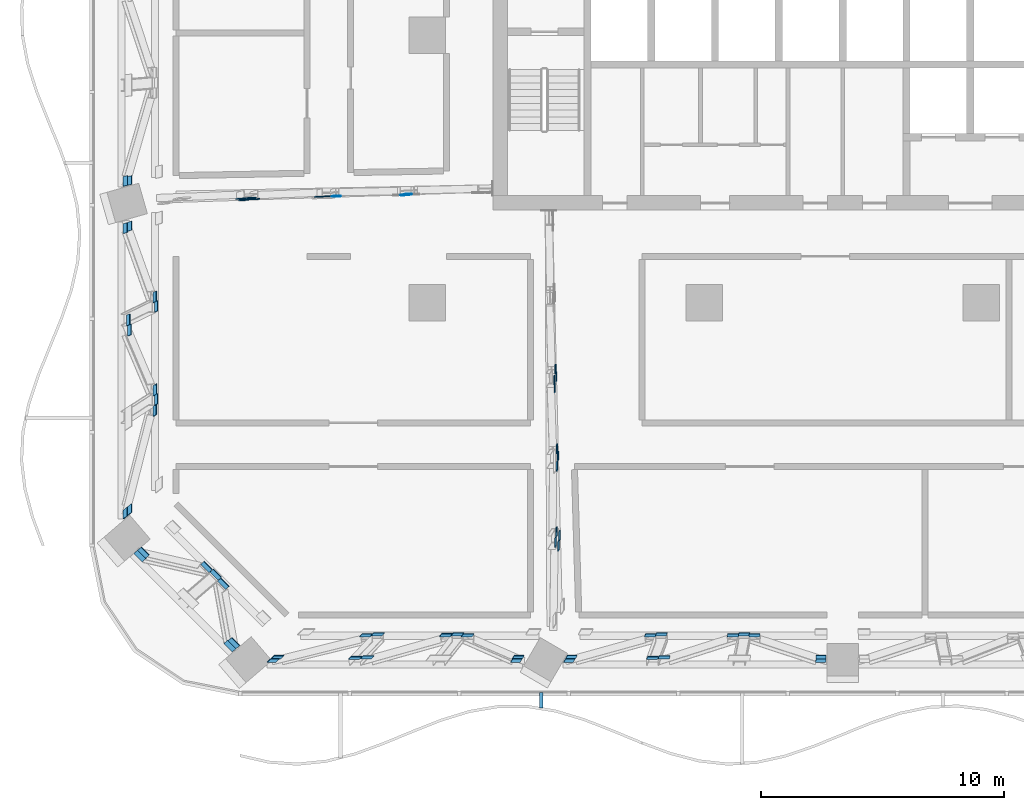
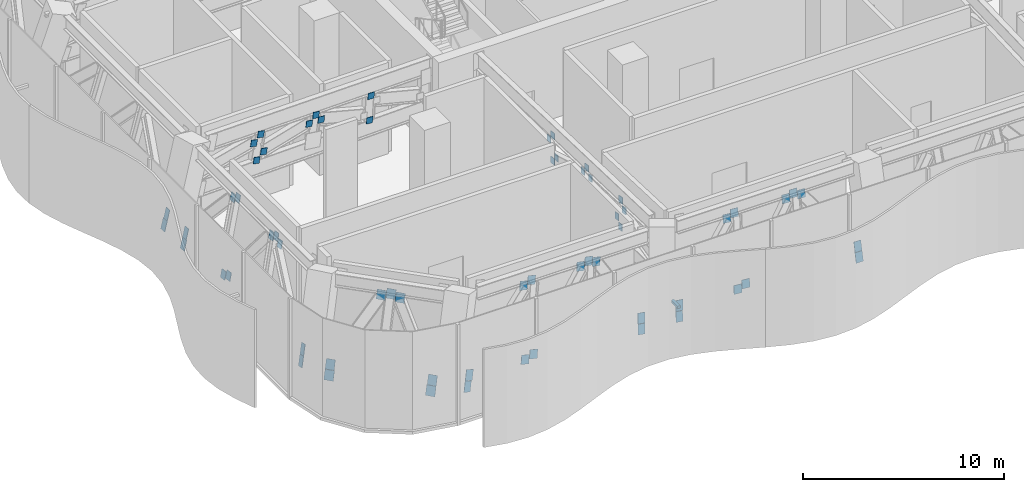
# One storey, part 19 of 32: 63 discrete accessories.
"""IFC4 building model written with IfcOpenShell, lengths in metres."""

from ifc_helpers import new_model, si_unit, direction, frame, origin, origin_2d, place, context, subcontext, project, spatial, rectangle, extrude, material, layer, layer_set, type_object, element, save


model = new_model("IFC4")

# Units and contexts
model_context = context("Model", 3, precision=1e-05, world=origin(), true_north=direction((0.0, 1.0)))
body_context = subcontext(model_context, "Body", "Model", "MODEL_VIEW")
ifc_project = project(units=[si_unit("LENGTHUNIT", "METRE"), si_unit("AREAUNIT", "SQUARE_METRE"), si_unit("VOLUMEUNIT", "CUBIC_METRE"), si_unit("PLANEANGLEUNIT", "RADIAN"), si_unit("MASSUNIT", "GRAM", prefix="KILO")], contexts=[model_context])

# Site, building, storey
site_placement = place(None, origin())
site = spatial("IfcSite", under=ifc_project, at=site_placement, CompositionType="ELEMENT")
building_placement = place(site_placement, origin())
building = spatial("IfcBuilding", under=site, at=building_placement, Name="Mopane Tessera Tower", CompositionType="ELEMENT")
storey_placement = place(building_placement, frame((0.0, 0.0, 88.60009765625)))
storey = spatial("IfcBuildingStorey", under=building, at=storey_placement, Name="L17", CompositionType="ELEMENT", Elevation=88.60009765625)

# Discrete accessories
ifc_material_1 = material(Name="Stainless steel S316", Category="steel")
discrete_accessory_type_1 = type_object("IfcDiscreteAccessoryType", Name="Louvre bracket 150 x 150", PredefinedType="BRACKET", material=ifc_material_1)
discrete_accessory_1_placement = place(storey_placement, frame((-12.39990234375, -27.377685546875, 2.489990234375), z_axis=(0.0, 0.0, 1.0), x_axis=(0.0, -1.0, 0.0)))
element("IfcDiscreteAccessory", 1, at=discrete_accessory_1_placement, inside=storey, type_object=discrete_accessory_type_1, Name="e:lv:L17:S:0:br1", PredefinedType="BRACKET", context=body_context, shape_type="SweptSolid", body=[
    extrude(rectangle(XDim=0.635498046875, YDim=0.14990234375, at=origin_2d()), origin(), (0.0, 0.0, 1.0), 0.14990234375),
])
ifc_material_2 = material(Name="Structural steel S460", Category="steel")
ifc_layer = layer(ifc_material_2, 0.030029296875)
ifc_layer_set = layer_set([ifc_layer], Name="Structural steel S460")
discrete_accessory_type_2 = type_object("IfcDiscreteAccessoryType", Name="Truss node plate 30 mm", PredefinedType="BRACKET", material=ifc_layer_set)
for number, where, z_axis, x_axis, name in (
    (2, (-18.03564453125, -6.580078125, 2.924560546875), (0.073024605033, 0.020579661418, 0.997117788727), (0.030716489883, -0.999359197658, 0.018376378988), "Truss node plate s ot L17 W2 4"),
    (3, (-17.930908203125, -6.55029296875, 4.358642578125), (0.0730235913, 0.02124322656, 0.997103946657), (0.039115022153, -0.999064914957, 0.018420389375), "Truss node plate s ot L17 W2 5"),
):
    element("IfcDiscreteAccessory", number, at=place(storey_placement, frame(where, z_axis=z_axis, x_axis=x_axis)), inside=storey, type_object=discrete_accessory_type_2, Name=name, PredefinedType="BRACKET", context=body_context, shape_type="SweptSolid", body=[
        extrude(rectangle(XDim=0.030029296875, YDim=0.36669921875, at=origin_2d()), origin(), (0.0, 0.0, 1.0), 0.36767578125),
    ])
discrete_accessory_2_placement = place(storey_placement, frame((-20.859130859375, -6.633056640625, 3.98193359375), z_axis=(0.131249416504, 0.037594053974, 0.990636299443), x_axis=(0.038005700608, -0.998736895677, 0.032866090967)))
element("IfcDiscreteAccessory", 4, at=discrete_accessory_2_placement, inside=storey, type_object=discrete_accessory_type_2, Name="Truss node plate s ot L17 W2 7", PredefinedType="BRACKET", context=body_context, shape_type="SweptSolid", body=[
    extrude(rectangle(XDim=0.030029296875, YDim=0.36669921875, at=origin_2d()), origin(), (0.0, 0.0, 1.0), 0.3701171875),
])
discrete_accessory_3_placement = place(storey_placement, frame((-21.157958984375, -6.627197265625, 4.358642578125), z_axis=(0.13771220955, 0.039534605612, 0.989682960498), x_axis=(0.039065427392, -0.998642394715, 0.034456637389)))
element("IfcDiscreteAccessory", 5, at=discrete_accessory_3_placement, inside=storey, type_object=discrete_accessory_type_2, Name="Truss node plate s ot L17 W2 9", PredefinedType="BRACKET", context=body_context, shape_type="SweptSolid", body=[
    extrude(rectangle(XDim=0.030029296875, YDim=0.36669921875, at=origin_2d()), origin(), (0.0, 0.0, 1.0), 0.37060546875),
])
discrete_accessory_4_placement = place(storey_placement, frame((-21.562255859375, -6.651123046875, 3.98193359375), z_axis=(0.145444666474, 0.041461601755, 0.988497235491), x_axis=(0.0377326891, -0.99862707775, 0.03633460826)))
element("IfcDiscreteAccessory", 6, at=discrete_accessory_4_placement, inside=storey, type_object=discrete_accessory_type_2, Name="Truss node plate s ot L17 W2 10", PredefinedType="BRACKET", context=body_context, shape_type="SweptSolid", body=[
    extrude(rectangle(XDim=0.030029296875, YDim=0.36669921875, at=origin_2d()), origin(), (0.0, 0.0, 1.0), 0.370849609375),
])
discrete_accessory_5_placement = place(storey_placement, frame((-24.2470703125, -6.755859375, 3.30126953125), z_axis=(0.194937042554, 0.055416885007, 0.97924895624), x_axis=(0.041294831885, -0.997980986414, 0.048256477438)))
element("IfcDiscreteAccessory", 7, at=discrete_accessory_5_placement, inside=storey, type_object=discrete_accessory_type_2, Name="Truss node plate s ot L17 W2 11", PredefinedType="BRACKET", context=body_context, shape_type="SweptSolid", body=[
    extrude(rectangle(XDim=0.030029296875, YDim=0.36669921875, at=origin_2d()), origin(), (0.0, 0.0, 1.0), 0.37451171875),
])
discrete_accessory_6_placement = place(storey_placement, frame((-24.68115234375, -6.78857421875, 2.924560546875), z_axis=(0.201791743211, 0.057933758535, 0.977713542912), x_axis=(0.044585883573, -0.99775756662, 0.049919307271)))
element("IfcDiscreteAccessory", 8, at=discrete_accessory_6_placement, inside=storey, type_object=discrete_accessory_type_2, Name="Truss node plate s ot L17 W2 12", PredefinedType="BRACKET", context=body_context, shape_type="SweptSolid", body=[
    extrude(rectangle(XDim=0.030029296875, YDim=0.36669921875, at=origin_2d()), origin(), (0.0, 0.0, 1.0), 0.375),
])
discrete_accessory_7_placement = place(storey_placement, frame((-24.3857421875, -6.7041015625, 4.356689453125), z_axis=(0.201612073021, 0.057327394565, 0.977786347749), x_axis=(0.042030756872, -0.997872500574, 0.049838620323)))
element("IfcDiscreteAccessory", 9, at=discrete_accessory_7_placement, inside=storey, type_object=discrete_accessory_type_2, Name="Truss node plate s ot L17 W2 13", PredefinedType="BRACKET", context=body_context, shape_type="SweptSolid", body=[
    extrude(rectangle(XDim=0.030029296875, YDim=0.37060546875, at=origin_2d()), origin(), (0.0, 0.0, 1.0), 0.37890625),
])
discrete_accessory_8_placement = place(storey_placement, frame((-24.804443359375, -6.7353515625, 3.97607421875), z_axis=(0.208371374654, 0.059167180457, 0.976258477547), x_axis=(0.042356308356, -0.997777933374, 0.051430913019)))
element("IfcDiscreteAccessory", 10, at=discrete_accessory_8_placement, inside=storey, type_object=discrete_accessory_type_2, Name="Truss node plate s ot L17 W2 14", PredefinedType="BRACKET", context=body_context, shape_type="SweptSolid", body=[
    extrude(rectangle(XDim=0.030029296875, YDim=0.37060546875, at=origin_2d()), origin(), (0.0, 0.0, 1.0), 0.379638671875),
])
for number, where, z_axis, x_axis, name in (
    (11, (-11.82666015625, -13.751220703125, 3.9814453125), (0.053589363892, 0.091300397741, 0.994380418879), (0.998562154221, -0.003560250049, -0.053487837648), "Truss node plate s ot L17 S1 7"),
    (12, (-11.881103515625, -14.207763671875, 2.924560546875), (0.056236601468, 0.09659463311, 0.993733828301), (0.998405497408, -0.000566402637, -0.056445920436), "Truss node plate s ot L17 S1 8"),
):
    element("IfcDiscreteAccessory", number, at=place(storey_placement, frame(where, z_axis=z_axis, x_axis=x_axis)), inside=storey, type_object=discrete_accessory_type_2, Name=name, PredefinedType="BRACKET", context=body_context, shape_type="SweptSolid", body=[
        extrude(rectangle(XDim=0.030029296875, YDim=0.366943359375, at=origin_2d()), origin(), (0.0, 0.0, 1.0), 0.368896484375),
    ])
discrete_accessory_9_placement = place(storey_placement, frame((-11.7998046875, -14.068603515625, 4.3583984375), z_axis=(0.056203227146, 0.095876093367, 0.993805298828), x_axis=(0.998417581607, -0.003523960868, -0.056124098543)))
element("IfcDiscreteAccessory", 13, at=discrete_accessory_9_placement, inside=storey, type_object=discrete_accessory_type_2, Name="Truss node plate s ot L17 S1 9", PredefinedType="BRACKET", context=body_context, shape_type="SweptSolid", body=[
    extrude(rectangle(XDim=0.030029296875, YDim=0.366943359375, at=origin_2d()), origin(), (0.0, 0.0, 1.0), 0.369140625),
])
discrete_accessory_10_placement = place(storey_placement, frame((-11.856201171875, -14.528564453125, 3.30126953125), z_axis=(0.058808502745, 0.101097763146, 0.99313684973), x_axis=(0.998255580983, -0.000743298452, -0.059035942811)))
element("IfcDiscreteAccessory", 14, at=discrete_accessory_10_placement, inside=storey, type_object=discrete_accessory_type_2, Name="Truss node plate s ot L17 S1 10", PredefinedType="BRACKET", context=body_context, shape_type="SweptSolid", body=[
    extrude(rectangle(XDim=0.030029296875, YDim=0.366943359375, at=origin_2d()), origin(), (0.0, 0.0, 1.0), 0.369384765625),
])
discrete_accessory_11_placement = place(storey_placement, frame((-11.77587890625, -17.04931640625, 3.9814453125), z_axis=(0.079493279357, 0.136649604184, 0.987424784079), x_axis=(0.996821859724, -0.005733766148, -0.079456301842)))
element("IfcDiscreteAccessory", 15, at=discrete_accessory_11_placement, inside=storey, type_object=discrete_accessory_type_2, Name="Truss node plate s ot L17 S1 11", PredefinedType="BRACKET", context=body_context, shape_type="SweptSolid", body=[
    extrude(rectangle(XDim=0.030029296875, YDim=0.366943359375, at=origin_2d()), origin(), (0.0, 0.0, 1.0), 0.37158203125),
])
discrete_accessory_12_placement = place(storey_placement, frame((-11.73876953125, -17.349365234375, 4.3583984375), z_axis=(0.082051331837, 0.141128290759, 0.986585214004), x_axis=(0.996613402137, -0.006241723591, -0.081992484827)))
element("IfcDiscreteAccessory", 16, at=discrete_accessory_12_placement, inside=storey, type_object=discrete_accessory_type_2, Name="Truss node plate s ot L17 S1 13", PredefinedType="BRACKET", context=body_context, shape_type="SweptSolid", body=[
    extrude(rectangle(XDim=0.030029296875, YDim=0.366943359375, at=origin_2d()), origin(), (0.0, 0.0, 1.0), 0.371826171875),
])
discrete_accessory_13_placement = place(storey_placement, frame((-11.764892578125, -17.757568359375, 3.9814453125), z_axis=(0.085245663383, 0.146229099495, 0.985571015876), x_axis=(0.996350727816, -0.008251776601, -0.08495372484)))
element("IfcDiscreteAccessory", 17, at=discrete_accessory_13_placement, inside=storey, type_object=discrete_accessory_type_2, Name="Truss node plate s ot L17 S1 14", PredefinedType="BRACKET", context=body_context, shape_type="SweptSolid", body=[
    extrude(rectangle(XDim=0.030029296875, YDim=0.366943359375, at=origin_2d()), origin(), (0.0, 0.0, 1.0), 0.372314453125),
])
discrete_accessory_14_placement = place(storey_placement, frame((-11.79833984375, -20.47314453125, 3.30126953125), z_axis=(0.105396382556, 0.180865397225, 0.977844215932), x_axis=(0.994420320667, -0.014765971725, -0.104451864144)))
element("IfcDiscreteAccessory", 18, at=discrete_accessory_14_placement, inside=storey, type_object=discrete_accessory_type_2, Name="Truss node plate s ot L17 S1 15", PredefinedType="BRACKET", context=body_context, shape_type="SweptSolid", body=[
    extrude(rectangle(XDim=0.030029296875, YDim=0.366943359375, at=origin_2d()), origin(), (0.0, 0.0, 1.0), 0.375244140625),
])
discrete_accessory_15_placement = place(storey_placement, frame((-11.83642578125, -20.90185546875, 2.924560546875), z_axis=(0.107947417547, 0.185331409644, 0.976729043105), x_axis=(0.994145816801, -0.015546450129, -0.106922414982)))
element("IfcDiscreteAccessory", 19, at=discrete_accessory_15_placement, inside=storey, type_object=discrete_accessory_type_2, Name="Truss node plate s ot L17 S1 16", PredefinedType="BRACKET", context=body_context, shape_type="SweptSolid", body=[
    extrude(rectangle(XDim=0.030029296875, YDim=0.366943359375, at=origin_2d()), origin(), (0.0, 0.0, 1.0), 0.37548828125),
])
discrete_accessory_16_placement = place(storey_placement, frame((-11.677978515625, -20.63037109375, 4.3564453125), z_axis=(0.108027327481, 0.185189704253, 0.976747085973), x_axis=(0.99413995714, -0.01618958008, -0.106881444198)))
element("IfcDiscreteAccessory", 20, at=discrete_accessory_16_placement, inside=storey, type_object=discrete_accessory_type_2, Name="Truss node plate s ot L17 S1 17", PredefinedType="BRACKET", context=body_context, shape_type="SweptSolid", body=[
    extrude(rectangle(XDim=0.030029296875, YDim=0.370849609375, at=origin_2d()), origin(), (0.0, 0.0, 1.0), 0.379638671875),
])
discrete_accessory_17_placement = place(storey_placement, frame((-11.71484375, -21.04541015625, 3.975830078125), z_axis=(0.110544480153, 0.189596637472, 0.975619307398), x_axis=(0.993862416898, -0.016966264767, -0.109314418709)))
element("IfcDiscreteAccessory", 21, at=discrete_accessory_17_placement, inside=storey, type_object=discrete_accessory_type_2, Name="Truss node plate s ot L17 S1 18", PredefinedType="BRACKET", context=body_context, shape_type="SweptSolid", body=[
    extrude(rectangle(XDim=0.030029296875, YDim=0.370849609375, at=origin_2d()), origin(), (0.0, 0.0, 1.0), 0.3798828125),
])
discrete_accessory_18_placement = place(storey_placement, frame((-23.514892578125, -25.80029296875, 0.1328125), z_axis=(0.259580929663, 0.234123635918, 0.936911876357), x_axis=(-0.062172614904, 0.972206771361, -0.225717876287)))
element("IfcDiscreteAccessory", 22, at=discrete_accessory_18_placement, inside=storey, type_object=discrete_accessory_type_2, Name="Truss node plate s bt L17 S0-S1 0", PredefinedType="BRACKET", context=body_context, shape_type="SweptSolid", body=[
    extrude(rectangle(XDim=0.030029296875, YDim=0.372314453125, at=origin_2d()), origin(), (0.0, 0.0, 1.0), 0.5849609375),
])
discrete_accessory_19_placement = place(storey_placement, frame((-23.33837890625, -25.66064453125, 0.69091796875), z_axis=(0.259191654575, 0.234148982635, 0.937013308406), x_axis=(-0.062425625308, 0.972200727181, -0.225674073333)))
element("IfcDiscreteAccessory", 23, at=discrete_accessory_19_placement, inside=storey, type_object=discrete_accessory_type_2, Name="Truss node plate s bt L17 S0-S1 1", PredefinedType="BRACKET", context=body_context, shape_type="SweptSolid", body=[
    extrude(rectangle(XDim=0.030029296875, YDim=0.416259765625, at=origin_2d()), origin(), (0.0, 0.0, 1.0), 0.5849609375),
])
discrete_accessory_20_placement = place(storey_placement, frame((-19.66357421875, -24.743896484375, 4.3583984375), z_axis=(0.229932835172, 0.236037246725, 0.944148986902), x_axis=(-0.056309246774, 0.971743900392, -0.22922273181)))
element("IfcDiscreteAccessory", 24, at=discrete_accessory_20_placement, inside=storey, type_object=discrete_accessory_type_2, Name="Truss node plate s bt L17 S0-S1 3", PredefinedType="BRACKET", context=body_context, shape_type="SweptSolid", body=[
    extrude(rectangle(XDim=0.030029296875, YDim=0.453125, at=origin_2d()), origin(), (0.0, 0.0, 1.0), 0.47998046875),
])
discrete_accessory_21_placement = place(storey_placement, frame((-20.121826171875, -25.68798828125, 0.581787109375), z_axis=(0.225246750388, 0.236185886168, 0.945240778117), x_axis=(-0.054473026475, 0.971707852773, -0.229818489781)))
element("IfcDiscreteAccessory", 25, at=discrete_accessory_21_placement, inside=storey, type_object=discrete_accessory_type_2, Name="Truss node plate s bt L17 S0-S1 4", PredefinedType="BRACKET", context=body_context, shape_type="SweptSolid", body=[
    extrude(rectangle(XDim=0.030029296875, YDim=0.464111328125, at=origin_2d()), origin(), (0.0, 0.0, 1.0), 0.490966796875),
])
discrete_accessory_22_placement = place(storey_placement, frame((-19.18603515625, -24.7060546875, 4.50927734375), z_axis=(0.225106363988, 0.236310753146, 0.945243012584), x_axis=(-0.055030987681, 0.971677491083, -0.229813932817)))
element("IfcDiscreteAccessory", 26, at=discrete_accessory_22_placement, inside=storey, type_object=discrete_accessory_type_2, Name="Truss node plate s bt L17 S0-S1 5", PredefinedType="BRACKET", context=body_context, shape_type="SweptSolid", body=[
    extrude(rectangle(XDim=0.030029296875, YDim=0.453125, at=origin_2d()), origin(), (0.0, 0.0, 1.0), 0.4794921875),
])
discrete_accessory_23_placement = place(storey_placement, frame((-19.616943359375, -25.65380859375, 0.718994140625), z_axis=(0.220518806843, 0.236447930588, 0.946289507471), x_axis=(-0.05263457741, 0.971643619697, -0.230517412711)))
element("IfcDiscreteAccessory", 27, at=discrete_accessory_23_placement, inside=storey, type_object=discrete_accessory_type_2, Name="Truss node plate s bt L17 S0-S1 6", PredefinedType="BRACKET", context=body_context, shape_type="SweptSolid", body=[
    extrude(rectangle(XDim=0.030029296875, YDim=0.464111328125, at=origin_2d()), origin(), (0.0, 0.0, 1.0), 0.490478515625),
])
discrete_accessory_24_placement = place(storey_placement, frame((-16.36767578125, -24.74169921875, 4.36669921875), z_axis=(0.193279927083, 0.237844469857, 0.951878604626), x_axis=(-0.046761662262, 0.971303089808, -0.233203033154)))
element("IfcDiscreteAccessory", 28, at=discrete_accessory_24_placement, inside=storey, type_object=discrete_accessory_type_2, Name="Truss node plate s bt L17 S0-S1 7", PredefinedType="BRACKET", context=body_context, shape_type="SweptSolid", body=[
    extrude(rectangle(XDim=0.030029296875, YDim=0.464111328125, at=origin_2d()), origin(), (0.0, 0.0, 1.0), 0.487548828125),
])
discrete_accessory_25_placement = place(storey_placement, frame((-15.8876953125, -24.7060546875, 4.50927734375), z_axis=(0.187902738225, 0.238215493269, 0.952861973076), x_axis=(-0.046385430543, 0.971212279649, -0.233655942984)))
element("IfcDiscreteAccessory", 29, at=discrete_accessory_25_placement, inside=storey, type_object=discrete_accessory_type_2, Name="Truss node plate s bt L17 S0-S1 9", PredefinedType="BRACKET", context=body_context, shape_type="SweptSolid", body=[
    extrude(rectangle(XDim=0.030029296875, YDim=0.453125, at=origin_2d()), origin(), (0.0, 0.0, 1.0), 0.4755859375),
])
discrete_accessory_26_placement = place(storey_placement, frame((-15.475830078125, -24.743896484375, 4.3583984375), z_axis=(0.182942937712, 0.238442480614, 0.953769922455), x_axis=(-0.044999912522, 0.97115661801, -0.234157705764)))
element("IfcDiscreteAccessory", 30, at=discrete_accessory_26_placement, inside=storey, type_object=discrete_accessory_type_2, Name="Truss node plate s bt L17 S0-S1 10", PredefinedType="BRACKET", context=body_context, shape_type="SweptSolid", body=[
    extrude(rectangle(XDim=0.030029296875, YDim=0.453125, at=origin_2d()), origin(), (0.0, 0.0, 1.0), 0.47509765625),
])
discrete_accessory_27_placement = place(storey_placement, frame((-13.398681640625, -25.66064453125, 0.69091796875), z_axis=(0.152055103728, 0.239614924695, 0.958886819856), x_axis=(-0.038205989264, 0.970867778637, -0.236550330351)))
element("IfcDiscreteAccessory", 31, at=discrete_accessory_27_placement, inside=storey, type_object=discrete_accessory_type_2, Name="Truss node plate s bt L17 S0-S1 12", PredefinedType="BRACKET", context=body_context, shape_type="SweptSolid", body=[
    extrude(rectangle(XDim=0.030029296875, YDim=0.416259765625, at=origin_2d()), origin(), (0.0, 0.0, 1.0), 0.571533203125),
])
discrete_accessory_28_placement = place(storey_placement, frame((-13.474365234375, -25.80029296875, 0.1328125), z_axis=(0.152055103728, 0.239614924695, 0.958886819856), x_axis=(-0.037756363596, 0.97086798147, -0.236621680251)))
element("IfcDiscreteAccessory", 32, at=discrete_accessory_28_placement, inside=storey, type_object=discrete_accessory_type_2, Name="Truss node plate s bt L17 S0-S1 13", PredefinedType="BRACKET", context=body_context, shape_type="SweptSolid", body=[
    extrude(rectangle(XDim=0.030029296875, YDim=0.390380859375, at=origin_2d()), origin(), (0.0, 0.0, 1.0), 0.571533203125),
])
discrete_accessory_29_placement = place(storey_placement, frame((-11.287109375, -25.801025390625, 0.1298828125), z_axis=(0.127999107731, 0.24074004368, 0.96211249851), x_axis=(-0.031804946472, 0.970589629187, -0.238629874689)))
element("IfcDiscreteAccessory", 33, at=discrete_accessory_29_placement, inside=storey, type_object=discrete_accessory_type_2, Name="Truss node plate s bt L17 S1-S2 0", PredefinedType="BRACKET", context=body_context, shape_type="SweptSolid", body=[
    extrude(rectangle(XDim=0.030029296875, YDim=0.390380859375, at=origin_2d()), origin(), (0.0, 0.0, 1.0), 0.575927734375),
])
discrete_accessory_30_placement = place(storey_placement, frame((-11.204345703125, -25.659912109375, 0.694091796875), z_axis=(0.128012158594, 0.240340708354, 0.962210596055), x_axis=(-0.030761397295, 0.970688161616, -0.238365746984)))
element("IfcDiscreteAccessory", 34, at=discrete_accessory_30_placement, inside=storey, type_object=discrete_accessory_type_2, Name="Truss node plate s bt L17 S1-S2 1", PredefinedType="BRACKET", context=body_context, shape_type="SweptSolid", body=[
    extrude(rectangle(XDim=0.030029296875, YDim=0.40576171875, at=origin_2d()), origin(), (0.0, 0.0, 1.0), 0.575927734375),
])
discrete_accessory_31_placement = place(storey_placement, frame((-7.9326171875, -24.744873046875, 4.354736328125), z_axis=(0.094732827198, 0.241568709355, 0.965748543935), x_axis=(-0.024612727269, 0.970383197722, -0.240313676755)))
element("IfcDiscreteAccessory", 35, at=discrete_accessory_31_placement, inside=storey, type_object=discrete_accessory_type_2, Name="Truss node plate s bt L17 S1-S2 3", PredefinedType="BRACKET", context=body_context, shape_type="SweptSolid", body=[
    extrude(rectangle(XDim=0.030029296875, YDim=0.447998046875, at=origin_2d()), origin(), (0.0, 0.0, 1.0), 0.4638671875),
])
discrete_accessory_32_placement = place(storey_placement, frame((-7.846435546875, -25.687255859375, 0.58447265625), z_axis=(0.089995682221, 0.241188428352, 0.966296496532), x_axis=(-0.021085354344, 0.970477502845, -0.240268234073)))
element("IfcDiscreteAccessory", 36, at=discrete_accessory_32_placement, inside=storey, type_object=discrete_accessory_type_2, Name="Truss node plate s bt L17 S1-S2 4", PredefinedType="BRACKET", context=body_context, shape_type="SweptSolid", body=[
    extrude(rectangle(XDim=0.030029296875, YDim=0.458740234375, at=origin_2d()), origin(), (0.0, 0.0, 1.0), 0.474853515625),
])
discrete_accessory_33_placement = place(storey_placement, frame((-7.4814453125, -24.70556640625, 4.511962890625), z_axis=(0.089513292067, 0.24168588858, 0.966217005545), x_axis=(-0.023467724819, 0.970353866002, -0.240546545654)))
element("IfcDiscreteAccessory", 37, at=discrete_accessory_33_placement, inside=storey, type_object=discrete_accessory_type_2, Name="Truss node plate s bt L17 S1-S2 5", PredefinedType="BRACKET", context=body_context, shape_type="SweptSolid", body=[
    extrude(rectangle(XDim=0.030029296875, YDim=0.447998046875, at=origin_2d()), origin(), (0.0, 0.0, 1.0), 0.463623046875),
])
discrete_accessory_34_placement = place(storey_placement, frame((-7.365966796875, -25.6513671875, 0.728515625), z_axis=(0.084369942934, 0.241791909627, 0.966653187637), x_axis=(-0.021547269623, 0.970327992204, -0.240830443916)))
element("IfcDiscreteAccessory", 38, at=discrete_accessory_34_placement, inside=storey, type_object=discrete_accessory_type_2, Name="Truss node plate s bt L17 S1-S2 6", PredefinedType="BRACKET", context=body_context, shape_type="SweptSolid", body=[
    extrude(rectangle(XDim=0.030029296875, YDim=0.458740234375, at=origin_2d()), origin(), (0.0, 0.0, 1.0), 0.474609375),
])
discrete_accessory_35_placement = place(storey_placement, frame((-4.5224609375, -24.742919921875, 4.362548828125), z_axis=(0.054131147764, 0.242301328088, 0.968689777611), x_axis=(-0.014352428984, 0.970200706232, -0.241877236235)))
element("IfcDiscreteAccessory", 39, at=discrete_accessory_35_placement, inside=storey, type_object=discrete_accessory_type_2, Name="Truss node plate s bt L17 S1-S2 7", PredefinedType="BRACKET", context=body_context, shape_type="SweptSolid", body=[
    extrude(rectangle(XDim=0.030029296875, YDim=0.458740234375, at=origin_2d()), origin(), (0.0, 0.0, 1.0), 0.4736328125),
])
discrete_accessory_36_placement = place(storey_placement, frame((-4.068115234375, -24.70556640625, 4.511962890625), z_axis=(0.049107090182, 0.242367251546, 0.968940972955), x_axis=(-0.01175221749, 0.970184448755, -0.242082673434)))
element("IfcDiscreteAccessory", 40, at=discrete_accessory_36_placement, inside=storey, type_object=discrete_accessory_type_2, Name="Truss node plate s bt L17 S1-S2 9", PredefinedType="BRACKET", context=body_context, shape_type="SweptSolid", body=[
    extrude(rectangle(XDim=0.030029296875, YDim=0.447998046875, at=origin_2d()), origin(), (0.0, 0.0, 1.0), 0.46240234375),
])
discrete_accessory_37_placement = place(storey_placement, frame((-3.639404296875, -24.744873046875, 4.354736328125), z_axis=(0.043837515232, 0.242426740864, 0.969178800621), x_axis=(-0.010575111225, 0.970169644861, -0.242196257635)))
element("IfcDiscreteAccessory", 41, at=discrete_accessory_37_placement, inside=storey, type_object=discrete_accessory_type_2, Name="Truss node plate s bt L17 S1-S2 10", PredefinedType="BRACKET", context=body_context, shape_type="SweptSolid", body=[
    extrude(rectangle(XDim=0.030029296875, YDim=0.447998046875, at=origin_2d()), origin(), (0.0, 0.0, 1.0), 0.462158203125),
])
discrete_accessory_38_placement = place(storey_placement, frame((-0.90234375, -25.801025390625, 0.1298828125), z_axis=(0.010255942011, 0.242723960917, 0.970041181832), x_axis=(-0.002837056043, 0.970095361136, -0.24270752237)))
element("IfcDiscreteAccessory", 42, at=discrete_accessory_38_placement, inside=storey, type_object=discrete_accessory_type_2, Name="Truss node plate s bt L17 S1-S2 12", PredefinedType="BRACKET", context=body_context, shape_type="SweptSolid", body=[
    extrude(rectangle(XDim=0.030029296875, YDim=0.4130859375, at=origin_2d()), origin(), (0.0, 0.0, 1.0), 0.5712890625),
])
discrete_accessory_39_placement = place(storey_placement, frame((-0.892822265625, -25.659912109375, 0.694091796875), z_axis=(0.010257005021, 0.242321743623, 0.970141724912), x_axis=(-0.002587430327, 0.970195945132, -0.242307930644)))
element("IfcDiscreteAccessory", 43, at=discrete_accessory_39_placement, inside=storey, type_object=discrete_accessory_type_2, Name="Truss node plate s bt L17 S1-S2 13", PredefinedType="BRACKET", context=body_context, shape_type="SweptSolid", body=[
    extrude(rectangle(XDim=0.030029296875, YDim=0.40576171875, at=origin_2d()), origin(), (0.0, 0.0, 1.0), 0.5712890625),
])
discrete_accessory_40_placement = place(storey_placement, frame((-29.599365234375, -6.01806640625, 0.117431640625), z_axis=(0.279509732978, 0.068665685847, 0.95768435967), x_axis=(0.960142816393, -0.020285656239, -0.278772782532)))
element("IfcDiscreteAccessory", 44, at=discrete_accessory_40_placement, inside=storey, type_object=discrete_accessory_type_2, Name="Truss node plate s bt L17 W1-W2 12", PredefinedType="BRACKET", context=body_context, shape_type="SweptSolid", body=[
    extrude(rectangle(XDim=0.030029296875, YDim=0.403564453125, at=origin_2d()), origin(), (0.0, 0.0, 1.0), 0.6044921875),
])
discrete_accessory_41_placement = place(storey_placement, frame((-29.427490234375, -5.997314453125, 0.706298828125), z_axis=(0.279393886163, 0.06904097476, 0.957691182051), x_axis=(0.960176546557, -0.019844248642, -0.278688365809)))
element("IfcDiscreteAccessory", 45, at=discrete_accessory_41_placement, inside=storey, type_object=discrete_accessory_type_2, Name="Truss node plate s bt L17 W1-W2 13", PredefinedType="BRACKET", context=body_context, shape_type="SweptSolid", body=[
    extrude(rectangle(XDim=0.030029296875, YDim=0.360595703125, at=origin_2d()), origin(), (0.0, 0.0, 1.0), 0.604736328125),
])
discrete_accessory_42_placement = place(storey_placement, frame((-29.427978515625, -7.888916015625, 0.704345703125), z_axis=(0.278788808288, 0.090494766009, 0.956079231915), x_axis=(0.960352428845, -0.026387708143, -0.277537207004)))
element("IfcDiscreteAccessory", 46, at=discrete_accessory_42_placement, inside=storey, type_object=discrete_accessory_type_2, Name="Truss node plate s bt L17 W2-W3 0", PredefinedType="BRACKET", context=body_context, shape_type="SweptSolid", body=[
    extrude(rectangle(XDim=0.030029296875, YDim=0.367919921875, at=origin_2d()), origin(), (0.0, 0.0, 1.0), 0.6015625),
])
discrete_accessory_43_placement = place(storey_placement, frame((-29.5986328125, -7.962158203125, 0.119384765625), z_axis=(0.278886741167, 0.09093250367, 0.956009134568), x_axis=(0.960323839916, -0.025832219806, -0.277688348529)))
element("IfcDiscreteAccessory", 47, at=discrete_accessory_43_placement, inside=storey, type_object=discrete_accessory_type_2, Name="Truss node plate s bt L17 W2-W3 1", PredefinedType="BRACKET", context=body_context, shape_type="SweptSolid", body=[
    extrude(rectangle(XDim=0.030029296875, YDim=0.403564453125, at=origin_2d()), origin(), (0.0, 0.0, 1.0), 0.601318359375),
])
discrete_accessory_44_placement = place(storey_placement, frame((-28.36669921875, -10.79736328125, 4.34326171875), z_axis=(0.277432944586, 0.128962970335, 0.952050163353), x_axis=(0.960745001671, -0.037183736039, -0.27492983021)))
element("IfcDiscreteAccessory", 48, at=discrete_accessory_44_placement, inside=storey, type_object=discrete_accessory_type_2, Name="Truss node plate s bt L17 W2-W3 3", PredefinedType="BRACKET", context=body_context, shape_type="SweptSolid", body=[
    extrude(rectangle(XDim=0.030029296875, YDim=0.428955078125, at=origin_2d()), origin(), (0.0, 0.0, 1.0), 0.450439453125),
])
discrete_accessory_45_placement = place(storey_placement, frame((-29.460205078125, -11.74365234375, 0.59423828125), z_axis=(0.277605226715, 0.134308052544, 0.951260576878), x_axis=(0.96069482417, -0.037892234795, -0.275008424153)))
element("IfcDiscreteAccessory", 49, at=discrete_accessory_45_placement, inside=storey, type_object=discrete_accessory_type_2, Name="Truss node plate s bt L17 W2-W3 4", PredefinedType="BRACKET", context=body_context, shape_type="SweptSolid", body=[
    extrude(rectangle(XDim=0.030029296875, YDim=0.439208984375, at=origin_2d()), origin(), (0.0, 0.0, 1.0), 0.461669921875),
])
discrete_accessory_46_placement = place(storey_placement, frame((-28.314697265625, -11.190673828125, 4.521484375), z_axis=(0.277235213041, 0.134285806317, 0.951371619753), x_axis=(0.960801201907, -0.037408951728, -0.274702786197)))
element("IfcDiscreteAccessory", 50, at=discrete_accessory_46_placement, inside=storey, type_object=discrete_accessory_type_2, Name="Truss node plate s bt L17 W2-W3 5", PredefinedType="BRACKET", context=body_context, shape_type="SweptSolid", body=[
    extrude(rectangle(XDim=0.030029296875, YDim=0.428955078125, at=origin_2d()), origin(), (0.0, 0.0, 1.0), 0.450927734375),
])
discrete_accessory_47_placement = place(storey_placement, frame((-29.411376953125, -12.16748046875, 0.761474609375), z_axis=(0.277424823671, 0.138976625953, 0.950642395778), x_axis=(0.960747335745, -0.04029058933, -0.274483561019)))
element("IfcDiscreteAccessory", 51, at=discrete_accessory_47_placement, inside=storey, type_object=discrete_accessory_type_2, Name="Truss node plate s bt L17 W2-W3 6", PredefinedType="BRACKET", context=body_context, shape_type="SweptSolid", body=[
    extrude(rectangle(XDim=0.030029296875, YDim=0.439208984375, at=origin_2d()), origin(), (0.0, 0.0, 1.0), 0.4619140625),
])
discrete_accessory_48_placement = place(storey_placement, frame((-28.364990234375, -14.63818359375, 4.34912109375), z_axis=(0.275873409374, 0.173931616196, 0.945326216122), x_axis=(0.961193930353, -0.049612922899, -0.271375728714)))
element("IfcDiscreteAccessory", 52, at=discrete_accessory_48_placement, inside=storey, type_object=discrete_accessory_type_2, Name="Truss node plate s bt L17 W2-W3 7", PredefinedType="BRACKET", context=body_context, shape_type="SweptSolid", body=[
    extrude(rectangle(XDim=0.030029296875, YDim=0.439208984375, at=origin_2d()), origin(), (0.0, 0.0, 1.0), 0.464599609375),
])
discrete_accessory_49_placement = place(storey_placement, frame((-28.314697265625, -15.03369140625, 4.521484375), z_axis=(0.275249643643, 0.17901978776, 0.944557859141), x_axis=(0.961371923529, -0.04993885159, -0.270684568735)))
element("IfcDiscreteAccessory", 53, at=discrete_accessory_49_placement, inside=storey, type_object=discrete_accessory_type_2, Name="Truss node plate s bt L17 W2-W3 9", PredefinedType="BRACKET", context=body_context, shape_type="SweptSolid", body=[
    extrude(rectangle(XDim=0.030029296875, YDim=0.428955078125, at=origin_2d()), origin(), (0.0, 0.0, 1.0), 0.4541015625),
])
discrete_accessory_50_placement = place(storey_placement, frame((-28.36669921875, -15.485595703125, 4.34326171875), z_axis=(0.275008328131, 0.183696969181, 0.943729751026), x_axis=(0.961441359005, -0.05155821215, -0.27013378899)))
element("IfcDiscreteAccessory", 54, at=discrete_accessory_50_placement, inside=storey, type_object=discrete_accessory_type_2, Name="Truss node plate s bt L17 W2-W3 10", PredefinedType="BRACKET", context=body_context, shape_type="SweptSolid", body=[
    extrude(rectangle(XDim=0.030029296875, YDim=0.428955078125, at=origin_2d()), origin(), (0.0, 0.0, 1.0), 0.45458984375),
])
discrete_accessory_51_placement = place(storey_placement, frame((-29.5986328125, -19.73046875, 0.119384765625), z_axis=(0.273167835843, 0.220283815221, 0.936405026798), x_axis=(0.961966388342, -0.062588078691, -0.265901109637)))
element("IfcDiscreteAccessory", 55, at=discrete_accessory_51_placement, inside=storey, type_object=discrete_accessory_type_2, Name="Truss node plate s bt L17 W2-W3 12", PredefinedType="BRACKET", context=body_context, shape_type="SweptSolid", body=[
    extrude(rectangle(XDim=0.030029296875, YDim=0.37158203125, at=origin_2d()), origin(), (0.0, 0.0, 1.0), 0.614013671875),
])
discrete_accessory_52_placement = place(storey_placement, frame((-29.427978515625, -19.5947265625, 0.704345703125), z_axis=(0.273066160465, 0.220201823723, 0.936453965146), x_axis=(0.961995249969, -0.062611506351, -0.265791155437)))
element("IfcDiscreteAccessory", 56, at=discrete_accessory_52_placement, inside=storey, type_object=discrete_accessory_type_2, Name="Truss node plate s bt L17 W2-W3 13", PredefinedType="BRACKET", context=body_context, shape_type="SweptSolid", body=[
    extrude(rectangle(XDim=0.030029296875, YDim=0.367919921875, at=origin_2d()), origin(), (0.0, 0.0, 1.0), 0.6142578125),
])
discrete_accessory_53_placement = place(storey_placement, frame((-28.847900390625, -21.35205078125, 0.673095703125), z_axis=(0.272474209673, 0.233358825576, 0.933435302305), x_axis=(0.65314566036, 0.667510467534, -0.35753394536)))
element("IfcDiscreteAccessory", 57, at=discrete_accessory_53_placement, inside=storey, type_object=discrete_accessory_type_2, Name="Truss node plate s bt L17 W3-S0 0", PredefinedType="BRACKET", context=body_context, shape_type="SweptSolid", body=[
    extrude(rectangle(XDim=0.030029296875, YDim=0.468505859375, at=origin_2d()), origin(), (0.0, 0.0, 1.0), 0.54931640625),
])
discrete_accessory_54_placement = place(storey_placement, frame((-28.99267578125, -21.490234375, 0.150634765625), z_axis=(0.272062642078, 0.23338707041, 0.933548281639), x_axis=(0.652692412918, 0.668110469881, -0.357240834949)))
element("IfcDiscreteAccessory", 58, at=discrete_accessory_54_placement, inside=storey, type_object=discrete_accessory_type_2, Name="Truss node plate s bt L17 W3-S0 1", PredefinedType="BRACKET", context=body_context, shape_type="SweptSolid", body=[
    extrude(rectangle(XDim=0.030029296875, YDim=0.489990234375, at=origin_2d()), origin(), (0.0, 0.0, 1.0), 0.549072265625),
])
for number, where, z_axis, x_axis, name in (
    (59, (-26.25048828125, -21.941162109375, 4.380615234375), (0.272022378243, 0.233501726779, 0.933531343516), (0.652468533197, 0.668305609361, -0.357284796324), "Truss node plate s bt L17 W3-S0 3"),
    (60, (-25.870849609375, -22.25830078125, 4.496337890625), (0.272022378243, 0.233501726779, 0.933531343516), (0.652468533197, 0.668305609361, -0.357284796324), "Truss node plate s bt L17 W3-S0 5"),
    (61, (-25.55859375, -22.633056640625, 4.380615234375), (0.27246266647, 0.233471499541, 0.933410496128), (0.652953692211, 0.667663805199, -0.357598264895), "Truss node plate s bt L17 W3-S0 6"),
):
    element("IfcDiscreteAccessory", number, at=place(storey_placement, frame(where, z_axis=z_axis, x_axis=x_axis)), inside=storey, type_object=discrete_accessory_type_2, Name=name, PredefinedType="BRACKET", context=body_context, shape_type="SweptSolid", body=[
        extrude(rectangle(XDim=0.030029296875, YDim=0.479248046875, at=origin_2d()), origin(), (0.0, 0.0, 1.0), 0.513427734375),
    ])
discrete_accessory_55_placement = place(storey_placement, frame((-25.283935546875, -25.198974609375, 0.150634765625), z_axis=(0.272062642078, 0.23338707041, 0.933548281639), x_axis=(0.652692412918, 0.668110469881, -0.357240834949)))
element("IfcDiscreteAccessory", 62, at=discrete_accessory_55_placement, inside=storey, type_object=discrete_accessory_type_2, Name="Truss node plate s bt L17 W3-S0 7", PredefinedType="BRACKET", context=body_context, shape_type="SweptSolid", body=[
    extrude(rectangle(XDim=0.030029296875, YDim=0.489990234375, at=origin_2d()), origin(), (0.0, 0.0, 1.0), 0.549072265625),
])
discrete_accessory_56_placement = place(storey_placement, frame((-25.1240234375, -25.075927734375, 0.673095703125), z_axis=(0.272062642078, 0.23338707041, 0.933548281639), x_axis=(0.652692412918, 0.668110469881, -0.357240834949)))
element("IfcDiscreteAccessory", 63, at=discrete_accessory_56_placement, inside=storey, type_object=discrete_accessory_type_2, Name="Truss node plate s bt L17 W3-S0 9", PredefinedType="BRACKET", context=body_context, shape_type="SweptSolid", body=[
    extrude(rectangle(XDim=0.030029296875, YDim=0.468505859375, at=origin_2d()), origin(), (0.0, 0.0, 1.0), 0.549072265625),
])

save(model, "model.ifc")
